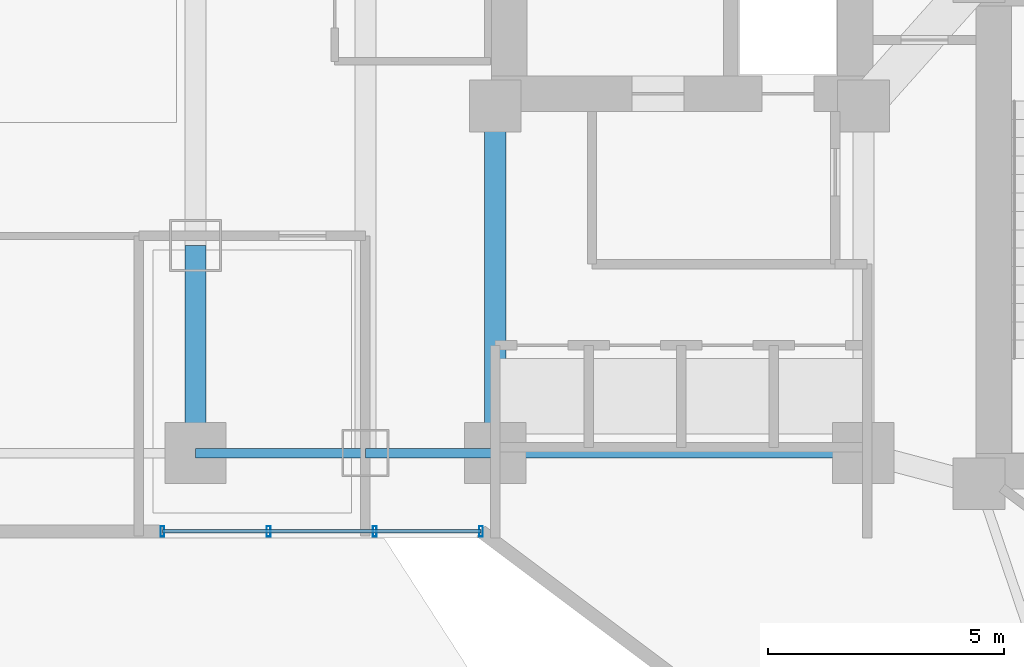
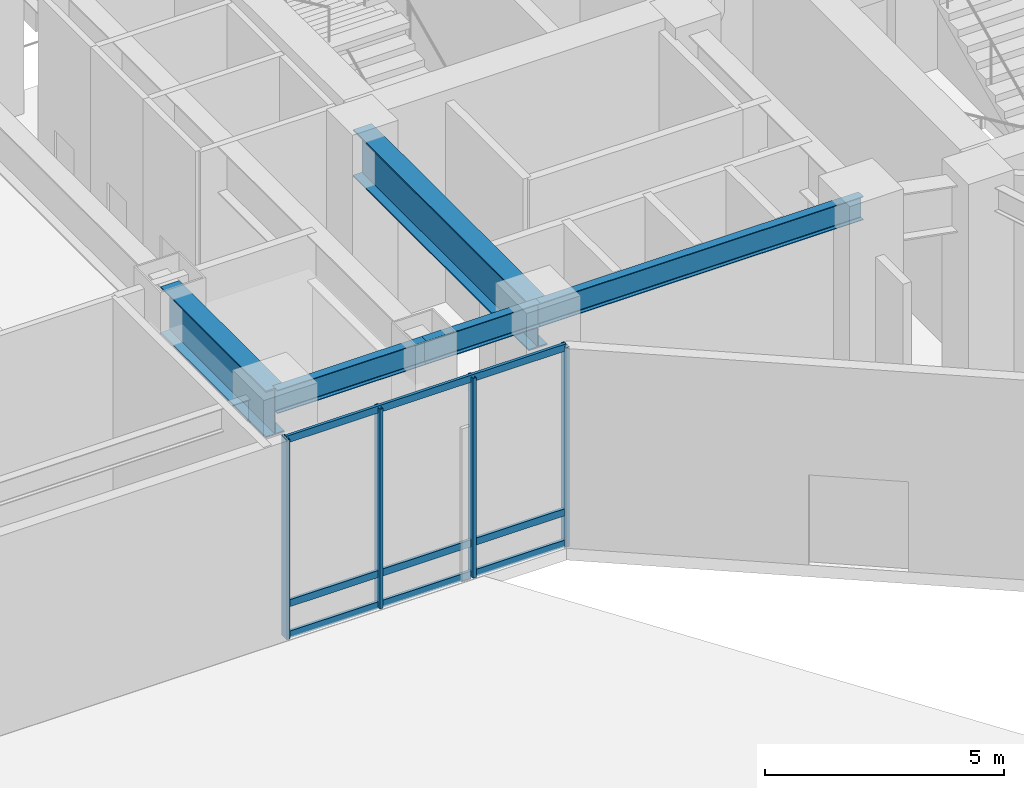
# One storey, part 2 of 13: 7 members, 5 beams, 1 element without a shape of its own.
"""IFC4 building model written with IfcOpenShell, lengths in metres."""

import ifcopenshell
import ifcopenshell.guid

model = None  # the IFC model being written
_history = None  # IfcOwnerHistory: only IFC2X3 demands one
_inside = {}  # id of a spatial element -> (the spatial element, [elements in it])
_under = {}  # id of a project, library or spatial element -> (it, [spatial elements below it])
_declared = {}  # id of a project -> (the project, [libraries it declares])
_typed = {}  # id of a type object -> (the type object, [elements of that type])
_made_of = {}  # id of a material, layer set ... -> (it, [elements and type objects made of it])


def new_model(schema):
    """Start an empty IFC model of exactly this schema.

    Asked for "IFC4X3", IfcOpenShell would pick the latest addendum, in which some entities
    have other attributes; the version numbers below select the first issue.
    IFC2X3 requires an IfcOwnerHistory on every rooted entity: one is made here for all.
    """
    global model, _history
    if schema == "IFC4X3":
        model = ifcopenshell.file(schema_version=(4, 3, 0, 0))
    else:
        model = ifcopenshell.file(schema=schema)
    _inside.clear()
    _under.clear()
    _declared.clear()
    _typed.clear()
    _made_of.clear()
    _history = None
    if model.schema == "IFC2X3":
        org = make("IfcOrganization", Name="unknown")
        user = make(
            "IfcPersonAndOrganization",
            ThePerson=make("IfcPerson", FamilyName="unknown"),
            TheOrganization=org,
        )
        app = make(
            "IfcApplication",
            ApplicationDeveloper=org,
            Version="unknown",
            ApplicationFullName="unknown",
            ApplicationIdentifier="unknown",
        )
        _history = make(
            "IfcOwnerHistory",
            OwningUser=user,
            OwningApplication=app,
            ChangeAction="ADDED",
            CreationDate=0,
        )
    return model


def make(cls, **values):
    """One entity of the class cls with the attributes given. An attribute that is None is left unset."""
    return model.create_entity(
        cls, **{name: value for name, value in values.items() if value is not None}
    )


def rooted(cls, **values):
    """An entity with a GlobalId (a new one), such as an element, a storey or a relation."""
    return make(cls, GlobalId=ifcopenshell.guid.new(), OwnerHistory=_history, **values)


def si_unit(unit_type, name, prefix=None):
    """IfcSIUnit, for example si_unit("LENGTHUNIT", "METRE", prefix="MILLI")."""
    return make("IfcSIUnit", UnitType=unit_type, Prefix=prefix, Name=name)


def assignment(units):
    """IfcUnitAssignment: the units of a project."""
    return None if units is None else make("IfcUnitAssignment", Units=units)


def point(xyz):
    """IfcCartesianPoint."""
    return None if xyz is None else make("IfcCartesianPoint", Coordinates=xyz)


def direction(xyz):
    """IfcDirection."""
    return None if xyz is None else make("IfcDirection", DirectionRatios=xyz)


def frame(location, z_axis=None, x_axis=None):
    """IfcAxis2Placement3D, a coordinate frame: its origin and axes. An axis left out is left unset."""
    return make(
        "IfcAxis2Placement3D",
        Location=point(location),
        Axis=direction(z_axis),
        RefDirection=direction(x_axis),
    )


def frame_2d(location, x_axis=None):
    """IfcAxis2Placement2D, a coordinate frame in the plane: its origin and x axis."""
    return make(
        "IfcAxis2Placement2D", Location=point(location), RefDirection=direction(x_axis)
    )


def origin():
    """The frame at (0, 0, 0) with its axes left unset."""
    return frame((0.0, 0.0, 0.0))


def origin_2d():
    """The frame at (0, 0) in the plane with its x axis left unset."""
    return frame_2d((0.0, 0.0))


def place(relative_to, where):
    """IfcLocalPlacement: puts the frame where relative to a parent placement (None: the world)."""
    return make(
        "IfcLocalPlacement", PlacementRelTo=relative_to, RelativePlacement=where
    )


def context(
    kind, dimensions, precision=None, world=None, true_north=None, identifier=None
):
    """IfcGeometricRepresentationContext, for example the 3D "Model" context."""
    return make(
        "IfcGeometricRepresentationContext",
        ContextIdentifier=identifier,
        ContextType=kind,
        CoordinateSpaceDimension=dimensions,
        Precision=precision,
        WorldCoordinateSystem=world,
        TrueNorth=true_north,
    )


def subcontext(parent, identifier, kind, view, scale=None):
    """IfcGeometricRepresentationSubContext, for example "Body" below "Model"."""
    return make(
        "IfcGeometricRepresentationSubContext",
        ContextIdentifier=identifier,
        ContextType=kind,
        ParentContext=parent,
        TargetScale=scale,
        TargetView=view,
    )


def project(units=None, contexts=None):
    """IfcProject with its units and contexts."""
    return rooted(
        "IfcProject",
        Name="project",
        RepresentationContexts=contexts,
        UnitsInContext=assignment(units),
    )


def spatial(cls, under=None, at=None, **own):
    """A site, building, storey or space (cls), placed at a placement, below another one or the project."""
    s = rooted(cls, ObjectPlacement=at, **own)
    if under is not None:
        _under.setdefault(under.id(), (under, []))[1].append(s)
    return s


def profile(cls, at=None, kind="AREA", **sizes):
    """A parametric profile (cls). Its sizes go by their IFC names, for example OverallWidth=200.0."""
    return make(cls, ProfileType=kind, Position=at, **sizes)


def hollow_rectangle(**sizes):
    """IfcRectangleHollowProfileDef."""
    return profile("IfcRectangleHollowProfileDef", **sizes)


def i_section(**sizes):
    """IfcIShapeProfileDef."""
    return profile("IfcIShapeProfileDef", **sizes)


def extrude(swept, where, along, depth):
    """IfcExtrudedAreaSolid: the profile swept, set in the frame where, extruded along a direction by depth."""
    return make(
        "IfcExtrudedAreaSolid",
        SweptArea=swept,
        Position=where,
        ExtrudedDirection=direction(along),
        Depth=depth,
    )


def shape(context_of_items, identifier, shape_type, items):
    """IfcShapeRepresentation: the items that make up one representation, for example the "Body"."""
    return make(
        "IfcShapeRepresentation",
        ContextOfItems=context_of_items,
        RepresentationIdentifier=identifier,
        RepresentationType=shape_type,
        Items=items,
    )


def material(Name=None, Category=None):
    """IfcMaterial."""
    return make("IfcMaterial", Name=Name, Category=Category)


def layer(
    of_material, thickness, ventilated=None, Name=None, Category=None, Priority=None
):
    """IfcMaterialLayer: one layer of a wall or slab, of a material (None: an air gap)."""
    return make(
        "IfcMaterialLayer",
        Material=of_material,
        LayerThickness=thickness,
        IsVentilated=ventilated,
        Name=Name,
        Category=Category,
        Priority=Priority,
    )


def layer_set(layers, Name=None):
    """IfcMaterialLayerSet."""
    return make("IfcMaterialLayerSet", MaterialLayers=layers, LayerSetName=Name)


def material_profile(
    of_material, cross_section, Name=None, Category=None, Priority=None
):
    """IfcMaterialProfile: a cross section and its material."""
    return make(
        "IfcMaterialProfile",
        Name=Name,
        Material=of_material,
        Profile=cross_section,
        Priority=Priority,
        Category=Category,
    )


def profile_set(profiles, Name=None, composite=None):
    """IfcMaterialProfileSet."""
    return make(
        "IfcMaterialProfileSet",
        Name=Name,
        MaterialProfiles=profiles,
        CompositeProfile=composite,
    )


def made_of(thing, what):
    """Note that an element or type object is made of a material, layer set ...; save() writes the relation."""
    if what is not None:
        _made_of.setdefault(what.id(), (what, []))[1].append(thing)
    return thing


def type_object(cls, material=None, **own):
    """A type object (cls), such as IfcWallType, which elements share."""
    return made_of(rooted(cls, **own), material)


def element(
    cls,
    number,
    at=None,
    inside=None,
    cuts=None,
    type_object=None,
    material=None,
    context=None,
    identifier="Body",
    shape_type=None,
    held_by="IfcProductDefinitionShape",
    body=None,
    shapes=None,
    **own,
):
    """One element of the class cls, such as IfcWall. Its Tag is "e" and its number.

    at: its placement. inside: the storey or other place that contains it. cuts: it is an
    opening in that element (IfcRelVoidsElement). A single representation is given by context,
    identifier, shape_type and body (its items); several are given by shapes. held_by: the class
    of the entity that holds the representations. save() writes the other relations.
    """
    e = rooted(cls, Tag="e%d" % number, ObjectPlacement=at, **own)
    if body is not None:
        shapes = [shape(context, identifier, shape_type, body)]
    if shapes is not None:
        e.Representation = make(held_by, Representations=shapes)
    if inside is not None:
        _inside.setdefault(inside.id(), (inside, []))[1].append(e)
    if cuts is not None:
        rooted(
            "IfcRelVoidsElement", RelatingBuildingElement=cuts, RelatedOpeningElement=e
        )
    if type_object is not None:
        _typed.setdefault(type_object.id(), (type_object, []))[1].append(e)
    return made_of(e, material)


def aggregate(whole, parts):
    """IfcRelAggregates: a whole, such as a stair, and the parts it consists of."""
    return rooted("IfcRelAggregates", RelatingObject=whole, RelatedObjects=parts)


def save(model, path):
    """Write the relations noted so far, then the file.

    IfcRelAggregates (storeys below a building ...), IfcRelContainedInSpatialStructure (elements
    in a storey), IfcRelDefinesByType, IfcRelAssociatesMaterial and IfcRelDeclares: one each for
    every whole, place, type object, material and project.
    """
    for whole, parts in _under.values():
        aggregate(whole, parts)
    for where, things in _inside.values():
        rooted(
            "IfcRelContainedInSpatialStructure",
            RelatedElements=things,
            RelatingStructure=where,
        )
    for kind, things in _typed.values():
        rooted("IfcRelDefinesByType", RelatedObjects=things, RelatingType=kind)
    for what, things in _made_of.values():
        rooted("IfcRelAssociatesMaterial", RelatedObjects=things, RelatingMaterial=what)
    for by, libraries in _declared.values():
        rooted("IfcRelDeclares", RelatingContext=by, RelatedDefinitions=libraries)
    model.write(path)


model = new_model("IFC4")

# Units and contexts
model_context = context("Model", 3, precision=1e-05, world=origin(), true_north=direction((0.0, 1.0)))
body_context = subcontext(model_context, "Body", "Model", "MODEL_VIEW")
ifc_project = project(units=[si_unit("LENGTHUNIT", "METRE"), si_unit("AREAUNIT", "SQUARE_METRE"), si_unit("VOLUMEUNIT", "CUBIC_METRE"), si_unit("PLANEANGLEUNIT", "RADIAN"), si_unit("MASSUNIT", "GRAM", prefix="KILO")], contexts=[model_context])

# Site, building, storey
site_placement = place(None, origin())
site = spatial("IfcSite", under=ifc_project, at=site_placement, CompositionType="ELEMENT")
building_placement = place(site_placement, origin())
building = spatial("IfcBuilding", under=site, at=building_placement, Name="Hatsunagi Terrace Concourse", CompositionType="ELEMENT")
storey_placement = place(building_placement, origin())
storey = spatial("IfcBuildingStorey", under=building, at=storey_placement, Name="L01", CompositionType="ELEMENT", Elevation=0.0)

# Curtain wall, members
ifc_material_1 = material(Name="Anodised Aluminium Alloy 6063-T5", Category="aluminium")
ifc_layer = layer(ifc_material_1, 0.199951171875)
ifc_layer_set = layer_set([ifc_layer], Name="PodiumStorefront_CW01")
curtain_wall_type = type_object("IfcCurtainWallType", Name="PodiumStorefront_CW01", PredefinedType="NOTDEFINED", material=ifc_layer_set)
curtain_wall_placement = place(storey_placement, origin())
curtain_wall = element("IfcCurtainWall", 1, at=curtain_wall_placement, inside=storey, type_object=curtain_wall_type, Name="Unitised Curtain Wall CW-01 CW-L01-06", PredefinedType="NOTDEFINED")
ifc_material_2 = material(Name="Anodised Aluminium Alloy 6063-T5", Category="aluminium")
ifc_material_profile_1 = material_profile(ifc_material_2, hollow_rectangle(XDim=0.080078125, YDim=0.219970703125, WallThickness=0.0048828125, at=origin_2d()), Name="ALU-MUL-220x80x5")
ifc_profile_set_1 = profile_set([ifc_material_profile_1], Name="Anodised Aluminium Alloy 6063-T5")
member_type_1 = type_object("IfcMemberType", Name="CurtainWallMullion_Heavy_220x80", PredefinedType="MULLION", material=ifc_profile_set_1)
member_1_placement = place(storey_placement, frame((25.2470703125, 23.5400390625, 0.0), z_axis=(0.0, 0.0, 1.0), x_axis=(-1.0, 0.0, 0.0)))
member_1 = element("IfcMember", 2, at=member_1_placement, type_object=member_type_1, Name="Curtain Wall Mullion MUL-01", PredefinedType="MULLION", context=body_context, shape_type="SweptSolid", body=[
    extrude(hollow_rectangle(XDim=0.080078125, YDim=0.219970703125, WallThickness=0.0048828125, at=origin_2d()), origin(), (0.0, 0.0, 1.0), 5.10009765625),
])
member_2_placement = place(storey_placement, frame((22.998046875, 23.5400390625, 0.0), z_axis=(0.0, 0.0, 1.0), x_axis=(-1.0, 0.0, 0.0)))
member_2 = element("IfcMember", 3, at=member_2_placement, type_object=member_type_1, Name="Curtain Wall Mullion MUL-01", PredefinedType="MULLION", context=body_context, shape_type="SweptSolid", body=[
    extrude(hollow_rectangle(XDim=0.080078125, YDim=0.219970703125, WallThickness=0.0048828125, at=origin_2d()), origin(), (0.0, 0.0, 1.0), 5.10009765625),
])
member_3_placement = place(storey_placement, frame((20.7490234375, 23.5400390625, 0.0), z_axis=(0.0, 0.0, 1.0), x_axis=(-1.0, 0.0, 0.0)))
member_3 = element("IfcMember", 4, at=member_3_placement, type_object=member_type_1, Name="Curtain Wall Mullion MUL-01", PredefinedType="MULLION", context=body_context, shape_type="SweptSolid", body=[
    extrude(hollow_rectangle(XDim=0.080078125, YDim=0.219970703125, WallThickness=0.0048828125, at=origin_2d()), origin(), (0.0, 0.0, 1.0), 5.10009765625),
])
member_4_placement = place(storey_placement, frame((18.5, 23.5400390625, 0.0), z_axis=(0.0, 0.0, 1.0), x_axis=(-1.0, 0.0, 0.0)))
member_4 = element("IfcMember", 5, at=member_4_placement, type_object=member_type_1, Name="Curtain Wall Mullion MUL-01", PredefinedType="MULLION", context=body_context, shape_type="SweptSolid", body=[
    extrude(hollow_rectangle(XDim=0.080078125, YDim=0.219970703125, WallThickness=0.0048828125, at=origin_2d()), origin(), (0.0, 0.0, 1.0), 5.10009765625),
])
ifc_material_3 = material(Name="Anodised Aluminium Alloy 6063-T5", Category="aluminium")
ifc_material_profile_2 = material_profile(ifc_material_3, hollow_rectangle(XDim=0.070068359375, YDim=0.179931640625, WallThickness=0.00390625, at=origin_2d()), Name="ALU-TRN-180x70x4")
ifc_profile_set_2 = profile_set([ifc_material_profile_2], Name="Anodised Aluminium Alloy 6063-T5")
member_type_2 = type_object("IfcMemberType", Name="CurtainWallTransom_Heavy_180x70", PredefinedType="USERDEFINED", material=ifc_profile_set_2)
member_5_placement = place(storey_placement, frame((25.2470703125, 23.5400390625, 0.050048828125), z_axis=(-1.0, 0.0, 0.0), x_axis=(0.0, -1.0, 0.0)))
member_5 = element("IfcMember", 6, at=member_5_placement, type_object=member_type_2, Name="Curtain Wall Transom TRN-01", ObjectType="TRANSOM", PredefinedType="USERDEFINED", context=body_context, shape_type="SweptSolid", body=[
    extrude(hollow_rectangle(XDim=0.070068359375, YDim=0.179931640625, WallThickness=0.00390625, at=origin_2d()), origin(), (0.0, 0.0, 1.0), 6.7470703125),
])
member_6_placement = place(storey_placement, frame((25.2470703125, 23.5400390625, 0.85009765625), z_axis=(-1.0, 0.0, 0.0), x_axis=(0.0, -1.0, 0.0)))
member_6 = element("IfcMember", 7, at=member_6_placement, type_object=member_type_2, Name="Curtain Wall Transom TRN-01", ObjectType="TRANSOM", PredefinedType="USERDEFINED", context=body_context, shape_type="SweptSolid", body=[
    extrude(hollow_rectangle(XDim=0.070068359375, YDim=0.179931640625, WallThickness=0.00390625, at=origin_2d()), origin(), (0.0, 0.0, 1.0), 6.7470703125),
])
member_7_placement = place(storey_placement, frame((25.2470703125, 23.5400390625, 5.050048828125), z_axis=(-1.0, 0.0, 0.0), x_axis=(0.0, -1.0, 0.0)))
member_7 = element("IfcMember", 8, at=member_7_placement, type_object=member_type_2, Name="Curtain Wall Transom TRN-01", ObjectType="TRANSOM", PredefinedType="USERDEFINED", context=body_context, shape_type="SweptSolid", body=[
    extrude(hollow_rectangle(XDim=0.070068359375, YDim=0.179931640625, WallThickness=0.00390625, at=origin_2d()), origin(), (0.0, 0.0, 1.0), 6.7470703125),
])
aggregate(curtain_wall, [member_1, member_2, member_3, member_4, member_5, member_6, member_7])

# Beams
ifc_material_4 = material(Name="Steel SN490B", Category="steel")
ifc_material_profile_3 = material_profile(ifc_material_4, i_section(OverallWidth=0.199951171875, OverallDepth=0.60009765625, WebThickness=0.010986328125, FlangeThickness=0.01708984375, FilletRadius=0.01806640625, at=origin_2d()), Name="H-600x200x11x17")
ifc_profile_set_3 = profile_set([ifc_material_profile_3], Name="Steel SN490B")
beam_type_1 = type_object("IfcBeamType", Name="PerimeterSpandrel_H_600x200", PredefinedType="SPANDREL", material=ifc_profile_set_3)
beam_1_placement = place(storey_placement, frame((19.199951171875, 25.199951171875, 4.800048828125), z_axis=(1.0, 0.0, 0.0), x_axis=(0.0, 1.0, 0.0)))
element("IfcBeam", 9, at=beam_1_placement, inside=storey, type_object=beam_type_1, Name="Beam SP-01 BM-L01-WS-19", PredefinedType="SPANDREL", context=body_context, shape_type="SweptSolid", body=[
    extrude(i_section(OverallWidth=0.199951171875, OverallDepth=0.60009765625, WebThickness=0.010986328125, FlangeThickness=0.01708984375, FilletRadius=0.01806640625, at=origin_2d()), origin(), (0.0, 0.0, 1.0), 3.60009765625),
])
beam_2_placement = place(storey_placement, frame((22.800048828125, 25.199951171875, 4.800048828125), z_axis=(1.0, 0.0, 0.0), x_axis=(0.0, 1.0, 0.0)))
element("IfcBeam", 10, at=beam_2_placement, inside=storey, type_object=beam_type_1, Name="Beam SP-01 BM-L01-WS-22", PredefinedType="SPANDREL", context=body_context, shape_type="SweptSolid", body=[
    extrude(i_section(OverallWidth=0.199951171875, OverallDepth=0.60009765625, WebThickness=0.010986328125, FlangeThickness=0.01708984375, FilletRadius=0.01806640625, at=origin_2d()), origin(), (0.0, 0.0, 1.0), 2.75),
])
beam_3_placement = place(storey_placement, frame((25.550048828125, 25.199951171875, 4.800048828125), z_axis=(1.0, 0.0, 0.0), x_axis=(0.0, 1.0, 0.0)))
element("IfcBeam", 11, at=beam_3_placement, inside=storey, type_object=beam_type_1, Name="Beam SP-01 BM-L01-WS-25", PredefinedType="SPANDREL", context=body_context, shape_type="SweptSolid", body=[
    extrude(i_section(OverallWidth=0.199951171875, OverallDepth=0.60009765625, WebThickness=0.010986328125, FlangeThickness=0.01708984375, FilletRadius=0.01806640625, at=origin_2d()), origin(), (0.0, 0.0, 1.0), 7.800048828125),
])
ifc_material_5 = material(Name="Steel SN490B", Category="steel")
ifc_material_profile_4 = material_profile(ifc_material_5, i_section(OverallWidth=0.449951171875, OverallDepth=1.199951171875, WebThickness=0.02490234375, FlangeThickness=0.035888671875, at=origin_2d()), Name="BH-1200x450x25x36")
ifc_profile_set_4 = profile_set([ifc_material_profile_4], Name="Steel SN490B")
beam_type_2 = type_object("IfcBeamType", Name="PodiumHallGirder_BH_1200x450x25x36", PredefinedType="BEAM", material=ifc_profile_set_4)
beam_4_placement = place(storey_placement, frame((25.550048828125, 25.199951171875, 4.5), z_axis=(0.0, 1.0, 0.0), x_axis=(-1.0, 0.0, 0.0)))
element("IfcBeam", 12, at=beam_4_placement, inside=storey, type_object=beam_type_2, Name="Beam G-01 BM-L01-K1CA", PredefinedType="BEAM", context=body_context, shape_type="SweptSolid", body=[
    extrude(i_section(OverallWidth=0.449951171875, OverallDepth=1.199951171875, WebThickness=0.02490234375, FlangeThickness=0.035888671875, at=origin_2d()), origin(), (0.0, 0.0, 1.0), 7.35009765625),
])
beam_5_placement = place(storey_placement, frame((19.199951171875, 25.199951171875, 4.5), z_axis=(0.0, 1.0, 0.0), x_axis=(-1.0, 0.0, 0.0)))
element("IfcBeam", 13, at=beam_5_placement, inside=storey, type_object=beam_type_2, Name="Beam G-01 BM-L01-NS-19-25", PredefinedType="BEAM", context=body_context, shape_type="SweptSolid", body=[
    extrude(i_section(OverallWidth=0.449951171875, OverallDepth=1.199951171875, WebThickness=0.02490234375, FlangeThickness=0.035888671875, at=origin_2d()), origin(), (0.0, 0.0, 1.0), 4.400146484375),
])

save(model, "model.ifc")
